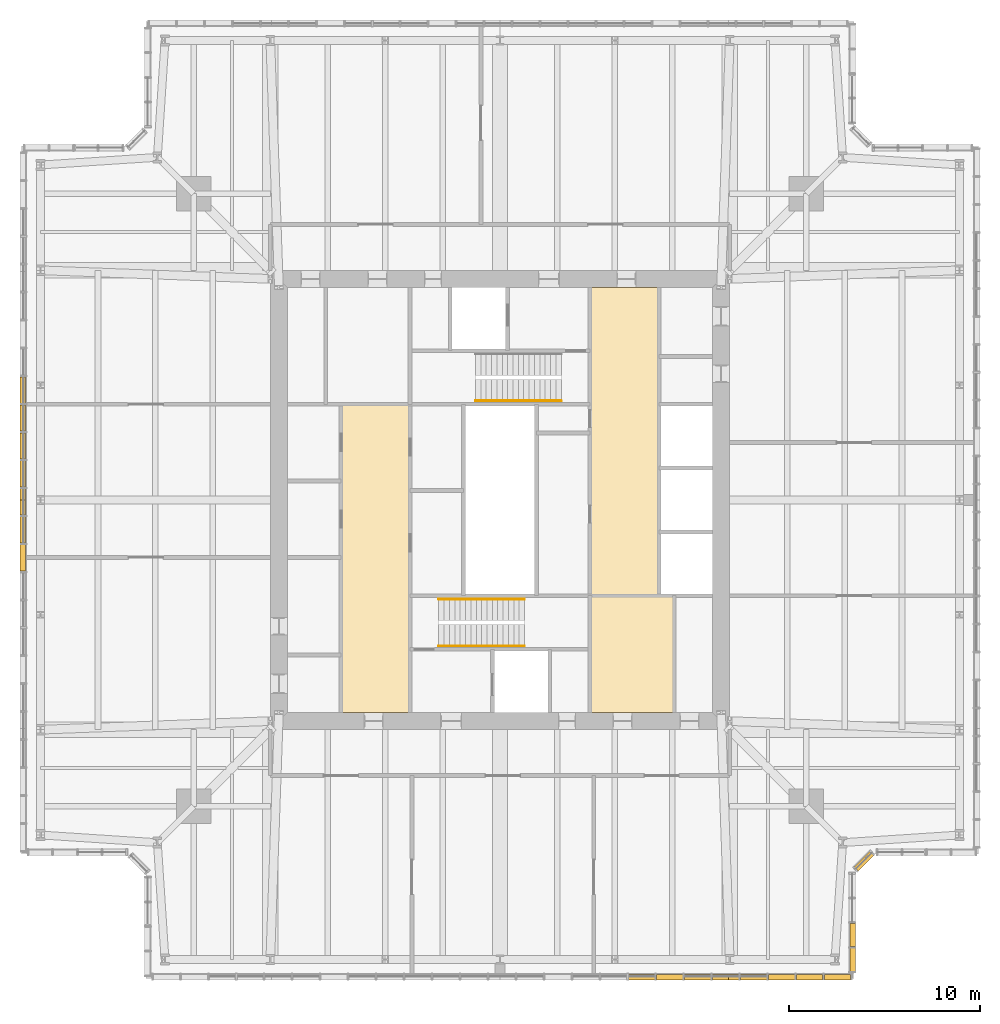
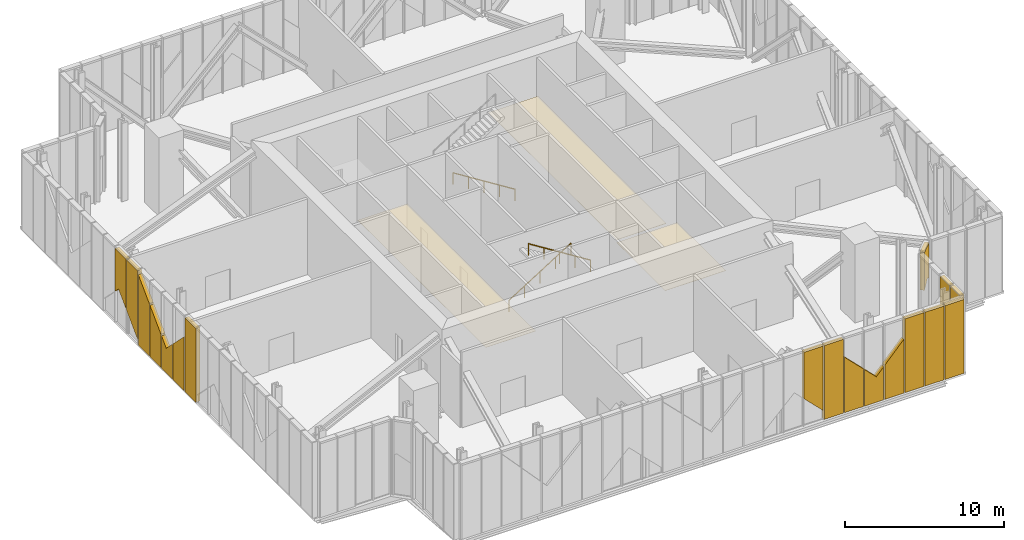
# One storey, part 15 of 18: 21 coverings, 3 railings.
"""IFC4 building model written with IfcOpenShell, lengths in metres."""

from ifc_helpers import new_model, si_unit, direction, frame, origin, origin_2d, place, context, subcontext, project, spatial, polyline, circle, outline, extrude, material, layer, layer_set, type_object, element, save


model = new_model("IFC4")

# Units and contexts
model_context = context("Model", 3, precision=1e-05, world=origin(), true_north=direction((0.0, 1.0)))
body_context = subcontext(model_context, "Body", "Model", "MODEL_VIEW")
ifc_project = project(units=[si_unit("LENGTHUNIT", "METRE"), si_unit("AREAUNIT", "SQUARE_METRE"), si_unit("VOLUMEUNIT", "CUBIC_METRE"), si_unit("PLANEANGLEUNIT", "RADIAN"), si_unit("MASSUNIT", "GRAM", prefix="KILO")], contexts=[model_context])

# Site, building, storey
site_placement = place(None, origin())
site = spatial("IfcSite", under=ifc_project, at=site_placement, CompositionType="ELEMENT")
building_placement = place(site_placement, origin())
building = spatial("IfcBuilding", under=site, at=building_placement, Name="Fenwick Lantern Interchange", CompositionType="ELEMENT")
storey_placement = place(building_placement, frame((0.0, 0.0, 301.800048828125)))
storey = spatial("IfcBuildingStorey", under=building, at=storey_placement, Name="L73", CompositionType="ELEMENT", Elevation=301.800048828125)

# Coverings
ifc_material_1 = material(Name="Granite cladding, warm grey flamed finish, on aluminium carrier frame", Category="masonry")
ifc_layer_1 = layer(ifc_material_1, 0.300048828125)
ifc_layer_set_1 = layer_set([ifc_layer_1], Name="BRACE CASING PANEL 300")
covering_type_1 = type_object("IfcCoveringType", Name="BRACE CASING PANEL 300", PredefinedType="CLADDING", material=ifc_layer_set_1)
covering_1_placement = place(storey_placement, frame((6.60009765625, 0.10009765625, 0.7099609375), z_axis=(0.0, 0.0, 1.0), x_axis=(1.0, 0.0, 0.0)))
element("IfcCovering", 1, at=covering_1_placement, inside=storey, type_object=covering_type_1, Name="Brace casing 01 bay 17a", PredefinedType="CLADDING", context=body_context, shape_type="SweptSolid", body=[
    extrude(outline(polyline([(26.494384765625, 0.0), (26.494384765625, 4.949951171875), (25.113525390625, 4.949951171875), (25.113525390625, 1.380859375), (26.494384765625, 0.0)])), frame((0.0, 0.125, 0.0), z_axis=(0.0, -1.0, 0.0), x_axis=(1.0, 0.0, 0.0)), (0.0, 0.0, 1.0), 0.300048828125),
])
covering_2_placement = place(storey_placement, frame((6.60009765625, 0.10009765625, 0.0), z_axis=(0.0, 0.0, 1.0), x_axis=(1.0, 0.0, 0.0)))
element("IfcCovering", 2, at=covering_2_placement, inside=storey, type_object=covering_type_1, Name="Brace casing 01 bay 18a", PredefinedType="CLADDING", context=body_context, shape_type="SweptSolid", body=[
    extrude(outline(polyline([(26.574462890625, 0.0), (27.955078125, 0.0), (27.955078125, 5.659912109375), (26.574462890625, 5.659912109375), (26.574462890625, 0.0)])), frame((0.0, 0.125, 0.0), z_axis=(0.0, -1.0, 0.0), x_axis=(1.0, 0.0, 0.0)), (0.0, 0.0, 1.0), 0.300048828125),
])
covering_3_placement = place(storey_placement, frame((6.60009765625, 0.10009765625, 0.0), z_axis=(0.0, 0.0, 1.0), x_axis=(1.0, 0.0, 0.0)))
element("IfcCovering", 3, at=covering_3_placement, inside=storey, type_object=covering_type_1, Name="Brace casing 01 bay 19a", PredefinedType="CLADDING", context=body_context, shape_type="SweptSolid", body=[
    extrude(outline(polyline([(28.03515625, 0.0), (29.416015625, 0.0), (29.416015625, 2.879638671875), (28.03515625, 4.26025390625), (28.03515625, 0.0)])), frame((0.0, 0.125, 0.0), z_axis=(0.0, -1.0, 0.0), x_axis=(1.0, 0.0, 0.0)), (0.0, 0.0, 1.0), 0.300048828125),
])
covering_4_placement = place(storey_placement, frame((6.60009765625, 0.10009765625, 0.0), z_axis=(0.0, 0.0, 1.0), x_axis=(1.0, 0.0, 0.0)))
element("IfcCovering", 4, at=covering_4_placement, inside=storey, type_object=covering_type_1, Name="Brace casing 01 bay 20a", PredefinedType="CLADDING", context=body_context, shape_type="SweptSolid", body=[
    extrude(outline(polyline([(29.49609375, 0.0), (30.876708984375, 0.0), (30.876708984375, 2.533935546875), (30.343505859375, 1.9521484375), (29.49609375, 2.799560546875), (29.49609375, 0.0)])), frame((0.0, 0.125, 0.0), z_axis=(0.0, -1.0, 0.0), x_axis=(1.0, 0.0, 0.0)), (0.0, 0.0, 1.0), 0.300048828125),
])
covering_5_placement = place(storey_placement, frame((6.60009765625, 0.10009765625, 0.0), z_axis=(0.0, 0.0, 1.0), x_axis=(1.0, 0.0, 0.0)))
element("IfcCovering", 5, at=covering_5_placement, inside=storey, type_object=covering_type_1, Name="Brace casing 01 bay 21a", PredefinedType="CLADDING", context=body_context, shape_type="SweptSolid", body=[
    extrude(outline(polyline([(30.956787109375, 0.0), (32.337646484375, 0.0), (32.337646484375, 4.12744140625), (30.956787109375, 2.62109375), (30.956787109375, 0.0)])), frame((0.0, 0.125, 0.0), z_axis=(0.0, -1.0, 0.0), x_axis=(1.0, 0.0, 0.0)), (0.0, 0.0, 1.0), 0.300048828125),
])
covering_6_placement = place(storey_placement, frame((6.60009765625, 0.10009765625, 0.0), z_axis=(0.0, 0.0, 1.0), x_axis=(1.0, 0.0, 0.0)))
element("IfcCovering", 6, at=covering_6_placement, inside=storey, type_object=covering_type_1, Name="Brace casing 01 bay 22a", PredefinedType="CLADDING", context=body_context, shape_type="SweptSolid", body=[
    extrude(outline(polyline([(32.41748046875, 0.0), (33.79833984375, 0.0), (33.79833984375, 5.659912109375), (32.41748046875, 5.659912109375), (32.41748046875, 0.0)])), frame((0.0, 0.125, 0.0), z_axis=(0.0, -1.0, 0.0), x_axis=(1.0, 0.0, 0.0)), (0.0, 0.0, 1.0), 0.300048828125),
])
covering_7_placement = place(storey_placement, frame((6.60009765625, 0.10009765625, 0.0), z_axis=(0.0, 0.0, 1.0), x_axis=(1.0, 0.0, 0.0)))
element("IfcCovering", 7, at=covering_7_placement, inside=storey, type_object=covering_type_1, Name="Brace casing 01 bay 23a", PredefinedType="CLADDING", context=body_context, shape_type="SweptSolid", body=[
    extrude(outline(polyline([(33.87841796875, 0.0), (35.25927734375, 0.0), (35.25927734375, 5.659912109375), (33.87841796875, 5.659912109375), (33.87841796875, 0.0)])), frame((0.0, 0.125, 0.0), z_axis=(0.0, -1.0, 0.0), x_axis=(1.0, 0.0, 0.0)), (0.0, 0.0, 1.0), 0.300048828125),
])
covering_8_placement = place(storey_placement, frame((6.60009765625, 0.10009765625, 0.0), z_axis=(0.0, 0.0, 1.0), x_axis=(1.0, 0.0, 0.0)))
element("IfcCovering", 8, at=covering_8_placement, inside=storey, type_object=covering_type_1, Name="Brace casing 01 bay 24a", PredefinedType="CLADDING", context=body_context, shape_type="SweptSolid", body=[
    extrude(outline(polyline([(35.339111328125, 0.0), (36.719970703125, 0.0), (36.719970703125, 5.659912109375), (35.339111328125, 5.659912109375), (35.339111328125, 0.0)])), frame((0.0, 0.125, 0.0), z_axis=(0.0, -1.0, 0.0), x_axis=(1.0, 0.0, 0.0)), (0.0, 0.0, 1.0), 0.300048828125),
])
covering_9_placement = place(storey_placement, frame((43.39990234375, 0.10009765625, 0.0), z_axis=(0.0, 0.0, 1.0), x_axis=(0.0, 1.0, 0.0)))
element("IfcCovering", 9, at=covering_9_placement, inside=storey, type_object=covering_type_1, Name="Brace casing 02 bay 00a", PredefinedType="CLADDING", context=body_context, shape_type="SweptSolid", body=[
    extrude(outline(polyline([(0.280029296875, 0.0), (1.490234375, 0.0), (1.490234375, 5.659912109375), (0.280029296875, 5.659912109375), (0.280029296875, 0.0)])), frame((0.0, 0.125, 0.0), z_axis=(0.0, -1.0, 0.0), x_axis=(1.0, 0.0, 0.0)), (0.0, 0.0, 1.0), 0.300048828125),
])
covering_10_placement = place(storey_placement, frame((43.39990234375, 0.10009765625, 0.0), z_axis=(0.0, 0.0, 1.0), x_axis=(0.0, 1.0, 0.0)))
element("IfcCovering", 10, at=covering_10_placement, inside=storey, type_object=covering_type_1, Name="Brace casing 02 bay 01a", PredefinedType="CLADDING", context=body_context, shape_type="SweptSolid", body=[
    extrude(outline(polyline([(1.5703125, 0.0), (2.78076171875, 0.0), (2.78076171875, 5.659912109375), (1.5703125, 5.659912109375), (1.5703125, 0.0)])), frame((0.0, 0.125, 0.0), z_axis=(0.0, -1.0, 0.0), x_axis=(1.0, 0.0, 0.0)), (0.0, 0.0, 1.0), 0.300048828125),
])
covering_11_placement = place(storey_placement, frame((43.39990234375, 5.54150390625, 2.746337890625), z_axis=(0.0, 0.0, 1.0), x_axis=(0.707106781187, 0.707106781187, 0.0)))
element("IfcCovering", 11, at=covering_11_placement, inside=storey, type_object=covering_type_1, Name="Brace casing 03 bay 00a", PredefinedType="CLADDING", context=body_context, shape_type="SweptSolid", body=[
    extrude(outline(polyline([(0.280029296875, 0.0), (1.03076171875, 0.4541015625), (1.4169921875, 0.2021484375), (1.4169921875, 2.91357421875), (0.280029296875, 2.91357421875), (0.280029296875, 0.0)])), frame((0.0, 0.125, 0.0), z_axis=(0.0, -1.0, 0.0), x_axis=(1.0, 0.0, 0.0)), (0.0, 0.0, 1.0), 0.300048828125),
])
covering_12_placement = place(storey_placement, frame((0.10009765625, 43.39990234375, 1.857177734375), z_axis=(0.0, 0.0, 1.0), x_axis=(0.0, -1.0, 0.0)))
element("IfcCovering", 12, at=covering_12_placement, inside=storey, type_object=covering_type_1, Name="Brace casing 13 bay 08a", PredefinedType="CLADDING", context=body_context, shape_type="SweptSolid", body=[
    extrude(outline(polyline([(13.34716796875, 0.0), (13.34716796875, 3.802734375), (11.96630859375, 3.802734375), (11.96630859375, 0.513671875), (12.39990234375, 0.947265625), (13.34716796875, 0.0)])), frame((0.0, 0.125, 0.0), z_axis=(0.0, -1.0, 0.0), x_axis=(1.0, 0.0, 0.0)), (0.0, 0.0, 1.0), 0.300048828125),
])
covering_13_placement = place(storey_placement, frame((0.10009765625, 43.39990234375, 0.396484375), z_axis=(0.0, 0.0, 1.0), x_axis=(0.0, -1.0, 0.0)))
element("IfcCovering", 13, at=covering_13_placement, inside=storey, type_object=covering_type_1, Name="Brace casing 13 bay 09a", PredefinedType="CLADDING", context=body_context, shape_type="SweptSolid", body=[
    extrude(outline(polyline([(14.80810546875, 0.0), (14.80810546875, 5.263427734375), (13.42724609375, 5.263427734375), (13.42724609375, 1.380615234375), (14.80810546875, 0.0)])), frame((0.0, 0.125, 0.0), z_axis=(0.0, -1.0, 0.0), x_axis=(1.0, 0.0, 0.0)), (0.0, 0.0, 1.0), 0.300048828125),
])
covering_14_placement = place(storey_placement, frame((0.10009765625, 43.39990234375, 0.0), z_axis=(0.0, 0.0, 1.0), x_axis=(0.0, -1.0, 0.0)))
element("IfcCovering", 14, at=covering_14_placement, inside=storey, type_object=covering_type_1, Name="Brace casing 13 bay 10a", PredefinedType="CLADDING", context=body_context, shape_type="SweptSolid", body=[
    extrude(outline(polyline([(14.887939453125, 0.0), (16.268798828125, 0.0), (16.268798828125, 4.026611328125), (14.887939453125, 5.407470703125), (14.887939453125, 0.0)])), frame((0.0, 0.125, 0.0), z_axis=(0.0, -1.0, 0.0), x_axis=(1.0, 0.0, 0.0)), (0.0, 0.0, 1.0), 0.300048828125),
])
covering_15_placement = place(storey_placement, frame((0.10009765625, 43.39990234375, 0.0), z_axis=(0.0, 0.0, 1.0), x_axis=(0.0, -1.0, 0.0)))
element("IfcCovering", 15, at=covering_15_placement, inside=storey, type_object=covering_type_1, Name="Brace casing 13 bay 11a", PredefinedType="CLADDING", context=body_context, shape_type="SweptSolid", body=[
    extrude(outline(polyline([(16.348876953125, 0.0), (17.7294921875, 0.0), (17.7294921875, 2.56591796875), (16.348876953125, 3.94677734375), (16.348876953125, 0.0)])), frame((0.0, 0.125, 0.0), z_axis=(0.0, -1.0, 0.0), x_axis=(1.0, 0.0, 0.0)), (0.0, 0.0, 1.0), 0.300048828125),
])
covering_16_placement = place(storey_placement, frame((0.10009765625, 43.39990234375, 0.0), z_axis=(0.0, 0.0, 1.0), x_axis=(0.0, -1.0, 0.0)))
element("IfcCovering", 16, at=covering_16_placement, inside=storey, type_object=covering_type_1, Name="Brace casing 13 bay 12a", PredefinedType="CLADDING", context=body_context, shape_type="SweptSolid", body=[
    extrude(outline(polyline([(17.8095703125, 0.0), (19.1904296875, 0.0), (19.1904296875, 2.68603515625), (18.39990234375, 1.8955078125), (17.8095703125, 2.48583984375), (17.8095703125, 0.0)])), frame((0.0, 0.125, 0.0), z_axis=(0.0, -1.0, 0.0), x_axis=(1.0, 0.0, 0.0)), (0.0, 0.0, 1.0), 0.300048828125),
])
covering_17_placement = place(storey_placement, frame((0.10009765625, 43.39990234375, 0.0), z_axis=(0.0, 0.0, 1.0), x_axis=(0.0, -1.0, 0.0)))
element("IfcCovering", 17, at=covering_17_placement, inside=storey, type_object=covering_type_1, Name="Brace casing 13 bay 13a", PredefinedType="CLADDING", context=body_context, shape_type="SweptSolid", body=[
    extrude(outline(polyline([(19.2705078125, 0.0), (20.651123046875, 0.0), (20.651123046875, 4.146728515625), (19.2705078125, 2.765869140625), (19.2705078125, 0.0)])), frame((0.0, 0.125, 0.0), z_axis=(0.0, -1.0, 0.0), x_axis=(1.0, 0.0, 0.0)), (0.0, 0.0, 1.0), 0.300048828125),
])
covering_18_placement = place(storey_placement, frame((0.10009765625, 43.39990234375, 0.0), z_axis=(0.0, 0.0, 1.0), x_axis=(0.0, -1.0, 0.0)))
element("IfcCovering", 18, at=covering_18_placement, inside=storey, type_object=covering_type_1, Name="Brace casing 13 bay 14a", PredefinedType="CLADDING", context=body_context, shape_type="SweptSolid", body=[
    extrude(outline(polyline([(20.731201171875, 0.0), (22.112060546875, 0.0), (22.112060546875, 5.659912109375), (20.731201171875, 5.659912109375), (20.731201171875, 0.0)])), frame((0.0, 0.125, 0.0), z_axis=(0.0, -1.0, 0.0), x_axis=(1.0, 0.0, 0.0)), (0.0, 0.0, 1.0), 0.300048828125),
])

# Railings
ifc_material_2 = material(Name="Stainless steel handrail", Category="steel")
railing_type = type_object("IfcRailingType", Name="HANDRAIL 900", PredefinedType="HANDRAIL", material=ifc_material_2)
railing_placement = place(storey_placement, frame((21.800048828125, 19.825927734375, 0.176513671875)))
element("IfcRailing", 19, at=railing_placement, inside=storey, type_object=railing_type, Name="L73/STAIR/ST1/HR1", PredefinedType="HANDRAIL", context=body_context, shape_type="SweptSolid", body=[
    extrude(circle(Radius=0.02392578125, at=origin_2d()), frame((0.0, 0.0, 0.8759765625), z_axis=(0.845997938375, 0.0, 0.533186166611), x_axis=(0.0, 1.0, 0.0)), (0.0, 0.0, 1.0), 5.29541015625),
    extrude(circle(Radius=0.02099609375, at=origin_2d()), origin(), (0.0, 0.0, 1.0), 0.851806640625),
    extrude(circle(Radius=0.02099609375, at=origin_2d()), frame((1.1201171875, 0.0, 0.705810546875)), (0.0, 0.0, 1.0), 0.851806640625),
    extrude(circle(Radius=0.02099609375, at=origin_2d()), frame((2.239990234375, 0.0, 1.41162109375)), (0.0, 0.0, 1.0), 0.851806640625),
    extrude(circle(Radius=0.02099609375, at=origin_2d()), frame((3.35986328125, 0.0, 2.11767578125)), (0.0, 0.0, 1.0), 0.851806640625),
    extrude(circle(Radius=0.02099609375, at=origin_2d()), frame((4.47998046875, 0.0, 2.823486328125)), (0.0, 0.0, 1.0), 0.851806640625),
])
for number, where, name in (
    (20, (26.280029296875, 17.3740234375, 3.176513671875), "L73/STAIR/ST1/HR2"),
    (21, (28.199951171875, 30.174072265625, 0.176513671875), "L73/STAIR/ST2/HR1"),
):
    element("IfcRailing", number, at=place(storey_placement, frame(where)), inside=storey, type_object=railing_type, Name=name, PredefinedType="HANDRAIL", context=body_context, shape_type="SweptSolid", body=[
        extrude(circle(Radius=0.02392578125, at=origin_2d()), frame((0.0, 0.0, 0.8759765625), z_axis=(-0.845997938375, 0.0, 0.533186166611), x_axis=(0.0, -1.0, 0.0)), (0.0, 0.0, 1.0), 5.29541015625),
        extrude(circle(Radius=0.02099609375, at=origin_2d()), origin(), (0.0, 0.0, 1.0), 0.851806640625),
        extrude(circle(Radius=0.02099609375, at=origin_2d()), frame((-1.1201171875, 0.0, 0.705810546875)), (0.0, 0.0, 1.0), 0.851806640625),
        extrude(circle(Radius=0.02099609375, at=origin_2d()), frame((-2.239990234375, 0.0, 1.41162109375)), (0.0, 0.0, 1.0), 0.851806640625),
        extrude(circle(Radius=0.02099609375, at=origin_2d()), frame((-3.35986328125, 0.0, 2.11767578125)), (0.0, 0.0, 1.0), 0.851806640625),
        extrude(circle(Radius=0.02099609375, at=origin_2d()), frame((-4.47998046875, 0.0, 2.823486328125)), (0.0, 0.0, 1.0), 0.851806640625),
    ])

# Coverings
ifc_material_3 = material(Name="Moisture resistant gypsum board on suspended frame, painted")
ifc_layer_2 = layer(ifc_material_3, 0.014892578125)
ifc_layer_set_2 = layer_set([ifc_layer_2], Name="MOISTURE RESISTANT CEILING 15")
covering_type_2 = type_object("IfcCoveringType", Name="MOISTURE RESISTANT CEILING 15", PredefinedType="CEILING", material=ifc_layer_set_2)
covering_19_placement = place(storey_placement, frame((0.0, 0.0, 2.599853515625)))
element("IfcCovering", 22, at=covering_19_placement, inside=storey, type_object=covering_type_2, Name="Women's WC ceiling", PredefinedType="CEILING", context=body_context, shape_type="SweptSolid", body=[
    extrude(outline(polyline([(29.699951171875, 13.89990234375), (34.10009765625, 13.89990234375), (34.10009765625, 20.0), (29.699951171875, 20.0), (29.699951171875, 13.89990234375)])), origin(), (0.0, 0.0, 1.0), 0.01513671875),
])
ifc_material_4 = material(Name="Gypsum plasterboard on suspended frame, painted")
ifc_layer_3 = layer(ifc_material_4, 0.014892578125)
ifc_layer_set_3 = layer_set([ifc_layer_3], Name="PLASTERBOARD CEILING 15")
covering_type_3 = type_object("IfcCoveringType", Name="PLASTERBOARD CEILING 15", PredefinedType="CEILING", material=ifc_layer_set_3)
covering_20_placement = place(storey_placement, frame((0.0, 0.0, 2.800048828125)))
element("IfcCovering", 23, at=covering_20_placement, inside=storey, type_object=covering_type_3, Name="Lift lobby ceiling", PredefinedType="CEILING", context=body_context, shape_type="SweptSolid", body=[
    extrude(outline(polyline([(16.699951171875, 13.89990234375), (20.300048828125, 13.89990234375), (20.300048828125, 30.0), (16.699951171875, 30.0), (16.699951171875, 13.89990234375)])), origin(), (0.0, 0.0, 1.0), 0.014892578125),
])
covering_21_placement = place(storey_placement, frame((0.0, 0.0, 2.800048828125)))
element("IfcCovering", 24, at=covering_21_placement, inside=storey, type_object=covering_type_3, Name="Lift lobby ceiling", PredefinedType="CEILING", context=body_context, shape_type="SweptSolid", body=[
    extrude(outline(polyline([(33.300048828125, 36.10009765625), (29.699951171875, 36.10009765625), (29.699951171875, 20.0), (33.300048828125, 20.0), (33.300048828125, 36.10009765625)])), origin(), (0.0, 0.0, 1.0), 0.014892578125),
])

save(model, "model.ifc")
